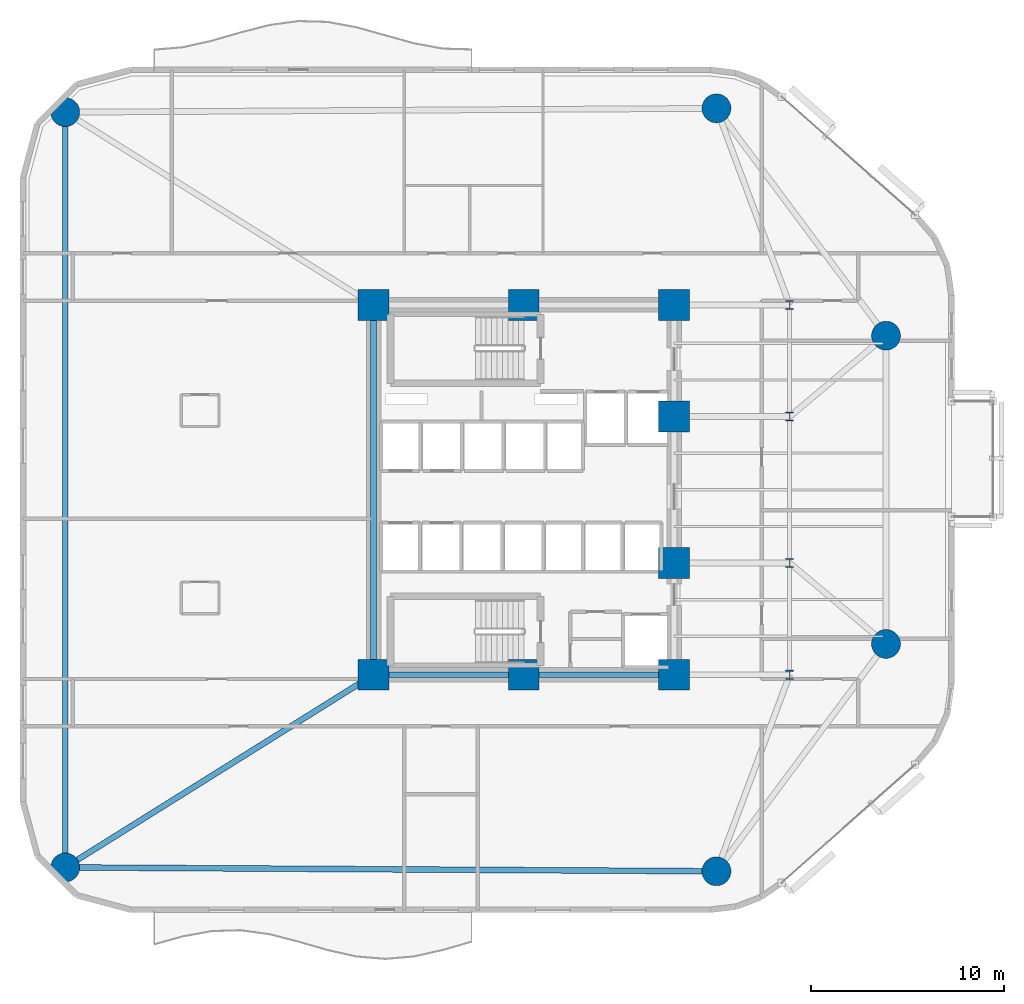
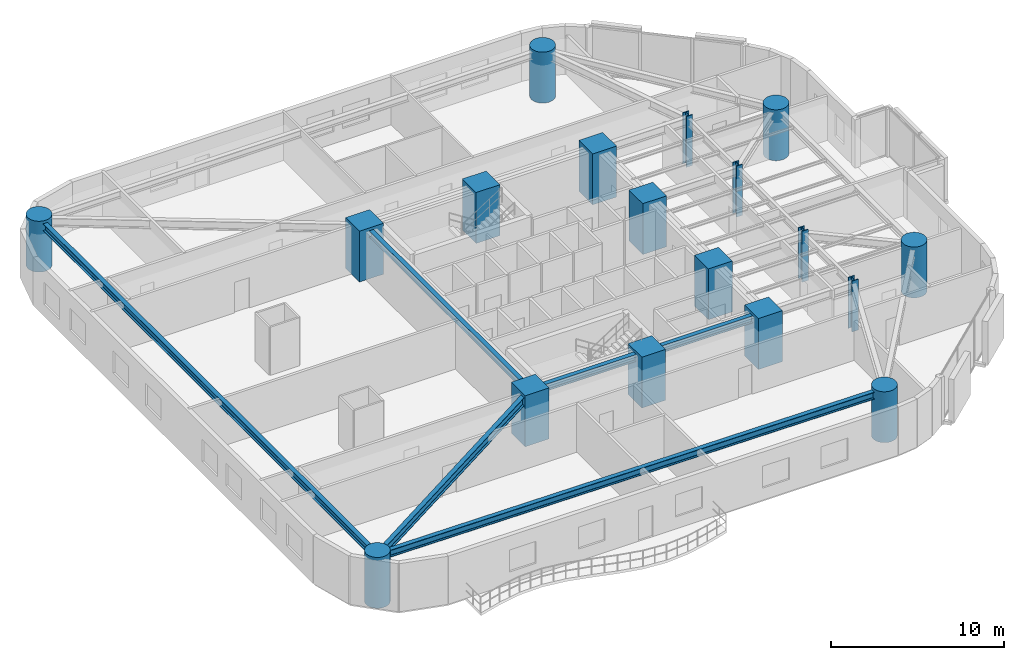
# One storey, part 1 of 16: 18 columns, 5 beams.
"""IFC4 building model written with IfcOpenShell, lengths in metres."""

from ifc_helpers import new_model, si_unit, direction, frame, origin, origin_2d, place, context, subcontext, project, spatial, rectangle, circle, i_section, extrude, material, material_profile, profile_set, type_object, element, save


model = new_model("IFC4")

# Units and contexts
model_context = context("Model", 3, precision=1e-05, world=origin(), true_north=direction((0.0, 1.0)))
body_context = subcontext(model_context, "Body", "Model", "MODEL_VIEW")
ifc_project = project(units=[si_unit("LENGTHUNIT", "METRE"), si_unit("AREAUNIT", "SQUARE_METRE"), si_unit("VOLUMEUNIT", "CUBIC_METRE"), si_unit("PLANEANGLEUNIT", "RADIAN"), si_unit("MASSUNIT", "GRAM", prefix="KILO")], contexts=[model_context])

# Site, building, storey
site_placement = place(None, origin())
site = spatial("IfcSite", under=ifc_project, at=site_placement, CompositionType="ELEMENT")
building_placement = place(site_placement, origin())
building = spatial("IfcBuilding", under=site, at=building_placement, Name="An Khanh Terracotta Commons", CompositionType="ELEMENT")
storey_placement = place(building_placement, frame((0.0, 0.0, 46.800048828125)))
storey = spatial("IfcBuildingStorey", under=building, at=storey_placement, Name="L12", CompositionType="ELEMENT", Elevation=46.800048828125)

# Columns
ifc_material_1 = material(Name="Concrete C70/85", Category="concrete")
ifc_material_profile_1 = material_profile(ifc_material_1, circle(Radius=0.75, at=origin_2d()), Name="CFST1500")
ifc_profile_set_1 = profile_set([ifc_material_profile_1], Name="Concrete C70/85")
column_type_1 = type_object("IfcColumnType", Name="COL-CFST1500", PredefinedType="COLUMN", material=ifc_profile_set_1)
for number, where, z_axis, x_axis, name in (
    (1, (5.60009765625, 4.39990234375, 0.0), (0.0, 0.0, 1.0), (1.0, 0.0, 0.0), "L12 Perimeter CFST Mega-Column MC-01"),
    (2, (39.39990234375, 4.199951171875, 0.0), (0.0, 0.0, 1.0), (1.0, 0.0, 0.0), "L12 Perimeter CFST Mega-Column MC-02"),
    (3, (48.199951171875, 16.0, 0.0), (0.0, 0.0, 1.0), (1.0, 0.0, 0.0), "L12 Perimeter CFST Mega-Column MC-03"),
    (4, (48.199951171875, 32.0, 0.0), (0.0, 0.0, 1.0), (1.0, 0.0, 0.0), "L12 Perimeter CFST Mega-Column MC-04"),
    (5, (39.39990234375, 43.800048828125, 0.0), (0.0, 0.0, 1.0), (1.0, 0.0, 0.0), "L12 Perimeter CFST Mega-Column MC-05"),
    (6, (5.60009765625, 43.60009765625, 0.0), (0.0, 0.0, 1.0), (1.0, 0.0, 0.0), "L12 Perimeter CFST Mega-Column MC-06"),
):
    element("IfcColumn", number, at=place(storey_placement, frame(where, z_axis=z_axis, x_axis=x_axis)), inside=storey, type_object=column_type_1, Name=name, PredefinedType="COLUMN", context=body_context, shape_type="SweptSolid", body=[
        extrude(circle(Radius=0.75, at=origin_2d()), origin(), (0.0, 0.0, 1.0), 3.599853515625),
    ])
ifc_material_2 = material(Name="Steel S460ML", Category="steel")
ifc_material_profile_2 = material_profile(ifc_material_2, i_section(OverallWidth=0.4169921875, OverallDepth=0.47705078125, WebThickness=0.035888671875, FlangeThickness=0.057373046875, FilletRadius=0.014892578125, at=origin_2d()), Name="HD400x463")
ifc_profile_set_2 = profile_set([ifc_material_profile_2], Name="Steel S460ML")
column_type_2 = type_object("IfcColumnType", Name="COL-HD400x463", PredefinedType="COLUMN", material=ifc_profile_set_2)
for number, where, z_axis, x_axis, name in (
    (7, (43.199951171875, 14.39990234375, 0.0), (0.0, 0.0, 1.0), (1.0, 0.0, 0.0), "L12 Interior Frame Column TC-01"),
    (8, (43.199951171875, 20.199951171875, 0.0), (0.0, 0.0, 1.0), (1.0, 0.0, 0.0), "L12 Interior Frame Column TC-02"),
    (9, (43.199951171875, 27.800048828125, 0.0), (0.0, 0.0, 1.0), (1.0, 0.0, 0.0), "L12 Interior Frame Column TC-03"),
    (10, (43.199951171875, 33.60009765625, 0.0), (0.0, 0.0, 1.0), (1.0, 0.0, 0.0), "L12 Interior Frame Column TC-04"),
):
    element("IfcColumn", number, at=place(storey_placement, frame(where, z_axis=z_axis, x_axis=x_axis)), inside=storey, type_object=column_type_2, Name=name, PredefinedType="COLUMN", context=body_context, shape_type="SweptSolid", body=[
        extrude(i_section(OverallWidth=0.4169921875, OverallDepth=0.47705078125, WebThickness=0.035888671875, FlangeThickness=0.057373046875, FilletRadius=0.014892578125, at=origin_2d()), origin(), (0.0, 0.0, 1.0), 3.599853515625),
    ])
ifc_material_profile_3 = material_profile(ifc_material_1, rectangle(XDim=1.60009765625, YDim=1.60009765625, at=origin_2d()), Name="RC1600x1600")
ifc_profile_set_3 = profile_set([ifc_material_profile_3], Name="Concrete C70/85")
column_type_3 = type_object("IfcColumnType", Name="COL-RC1600x1600", PredefinedType="COLUMN", material=ifc_profile_set_3)
for number, where, z_axis, x_axis, name in (
    (11, (21.60009765625, 14.39990234375, 0.0), (0.0, 0.0, 1.0), (1.0, 0.0, 0.0), "L12 Core Boundary Column CC-01"),
    (12, (29.39990234375, 14.39990234375, 0.0), (0.0, 0.0, 1.0), (1.0, 0.0, 0.0), "L12 Core Boundary Column CC-02"),
    (13, (37.199951171875, 14.39990234375, 0.0), (0.0, 0.0, 1.0), (1.0, 0.0, 0.0), "L12 Core Boundary Column CC-03"),
    (14, (37.199951171875, 20.199951171875, 0.0), (0.0, 0.0, 1.0), (1.0, 0.0, 0.0), "L12 Core Boundary Column CC-04"),
    (15, (37.199951171875, 27.800048828125, 0.0), (0.0, 0.0, 1.0), (1.0, 0.0, 0.0), "L12 Core Boundary Column CC-05"),
    (16, (37.199951171875, 33.60009765625, 0.0), (0.0, 0.0, 1.0), (1.0, 0.0, 0.0), "L12 Core Boundary Column CC-06"),
    (17, (29.39990234375, 33.60009765625, 0.0), (0.0, 0.0, 1.0), (1.0, 0.0, 0.0), "L12 Core Boundary Column CC-07"),
    (18, (21.60009765625, 33.60009765625, 0.0), (0.0, 0.0, 1.0), (1.0, 0.0, 0.0), "L12 Core Boundary Column CC-08"),
):
    element("IfcColumn", number, at=place(storey_placement, frame(where, z_axis=z_axis, x_axis=x_axis)), inside=storey, type_object=column_type_3, Name=name, PredefinedType="COLUMN", context=body_context, shape_type="SweptSolid", body=[
        extrude(rectangle(XDim=1.60009765625, YDim=1.60009765625, at=origin_2d()), origin(), (0.0, 0.0, 1.0), 3.599853515625),
    ])

# Beams
ifc_material_3 = material(Name="Steel S355J2", Category="steel")
ifc_material_profile_4 = material_profile(ifc_material_3, i_section(OverallWidth=0.300048828125, OverallDepth=0.449951171875, WebThickness=0.013916015625, FlangeThickness=0.02587890625, FilletRadius=0.027099609375, at=origin_2d()), Name="HEB450")
ifc_profile_set_4 = profile_set([ifc_material_profile_4], Name="Steel S355J2")
beam_type_1 = type_object("IfcBeamType", Name="BM-HEB450", PredefinedType="BEAM", material=ifc_profile_set_4)
beam_1_placement = place(storey_placement, frame((21.60009765625, 14.39990234375, 3.175048828125), z_axis=(0.0, 1.0, 0.0), x_axis=(-1.0, 0.0, 0.0)))
element("IfcBeam", 19, at=beam_1_placement, inside=storey, type_object=beam_type_1, Name="L12 Core West Coupling Girder", PredefinedType="BEAM", context=body_context, shape_type="SweptSolid", body=[
    extrude(i_section(OverallWidth=0.300048828125, OverallDepth=0.449951171875, WebThickness=0.013916015625, FlangeThickness=0.02587890625, FilletRadius=0.027099609375, at=origin_2d()), origin(), (0.0, 0.0, 1.0), 19.2001953125),
])
ifc_material_profile_5 = material_profile(ifc_material_3, i_section(OverallWidth=0.300048828125, OverallDepth=0.5, WebThickness=0.014404296875, FlangeThickness=0.028076171875, FilletRadius=0.027099609375, at=origin_2d()), Name="HEB500")
ifc_profile_set_5 = profile_set([ifc_material_profile_5], Name="Steel S355J2")
beam_type_2 = type_object("IfcBeamType", Name="BM-HEB500", PredefinedType="BEAM", material=ifc_profile_set_5)
beam_2_placement = place(storey_placement, frame((21.60009765625, 14.39990234375, 3.14990234375), z_axis=(1.0, 0.0, 0.0), x_axis=(0.0, 1.0, 0.0)))
element("IfcBeam", 20, at=beam_2_placement, inside=storey, type_object=beam_type_2, Name="L12 Core South Coupling Girder", PredefinedType="BEAM", context=body_context, shape_type="SweptSolid", body=[
    extrude(i_section(OverallWidth=0.300048828125, OverallDepth=0.5, WebThickness=0.014404296875, FlangeThickness=0.028076171875, FilletRadius=0.027099609375, at=origin_2d()), origin(), (0.0, 0.0, 1.0), 15.599853515625),
])
beam_3_placement = place(storey_placement, frame((5.60009765625, 4.39990234375, 3.14990234375), z_axis=(0.999982502414, -0.005915645817, 0.0), x_axis=(0.005915645817, 0.999982502414, 0.0)))
element("IfcBeam", 21, at=beam_3_placement, inside=storey, type_object=beam_type_2, Name="L12 Perimeter Ring Spandrel 1", PredefinedType="BEAM", context=body_context, shape_type="SweptSolid", body=[
    extrude(i_section(OverallWidth=0.300048828125, OverallDepth=0.5, WebThickness=0.014404296875, FlangeThickness=0.028076171875, FilletRadius=0.027099609375, at=origin_2d()), origin(), (0.0, 0.0, 1.0), 33.80029296875),
])
beam_4_placement = place(storey_placement, frame((5.60009765625, 43.60009765625, 3.14990234375), z_axis=(0.0, -1.0, 0.0), x_axis=(1.0, 0.0, 0.0)))
element("IfcBeam", 22, at=beam_4_placement, inside=storey, type_object=beam_type_2, Name="L12 Perimeter Ring Spandrel 6", PredefinedType="BEAM", context=body_context, shape_type="SweptSolid", body=[
    extrude(i_section(OverallWidth=0.300048828125, OverallDepth=0.5, WebThickness=0.014404296875, FlangeThickness=0.028076171875, FilletRadius=0.027099609375, at=origin_2d()), origin(), (0.0, 0.0, 1.0), 39.2001953125),
])
ifc_material_profile_6 = material_profile(ifc_material_3, i_section(OverallWidth=0.300048828125, OverallDepth=0.60009765625, WebThickness=0.015380859375, FlangeThickness=0.030029296875, FilletRadius=0.027099609375, at=origin_2d()), Name="HEB600")
ifc_profile_set_6 = profile_set([ifc_material_profile_6], Name="Steel S355J2")
beam_type_3 = type_object("IfcBeamType", Name="BM-HEB600", PredefinedType="BEAM", material=ifc_profile_set_6)
beam_5_placement = place(storey_placement, frame((5.60009765625, 4.39990234375, 3.099853515625), z_axis=(0.847998304005, 0.529998940003, 0.0), x_axis=(-0.529998940003, 0.847998304005, 0.0)))
element("IfcBeam", 23, at=beam_5_placement, inside=storey, type_object=beam_type_3, Name="L12 Mega-Column Tie Girder 1", PredefinedType="BEAM", context=body_context, shape_type="SweptSolid", body=[
    extrude(i_section(OverallWidth=0.300048828125, OverallDepth=0.60009765625, WebThickness=0.015380859375, FlangeThickness=0.030029296875, FilletRadius=0.027099609375, at=origin_2d()), origin(), (0.0, 0.0, 1.0), 18.867919921875),
])

save(model, "model.ifc")
